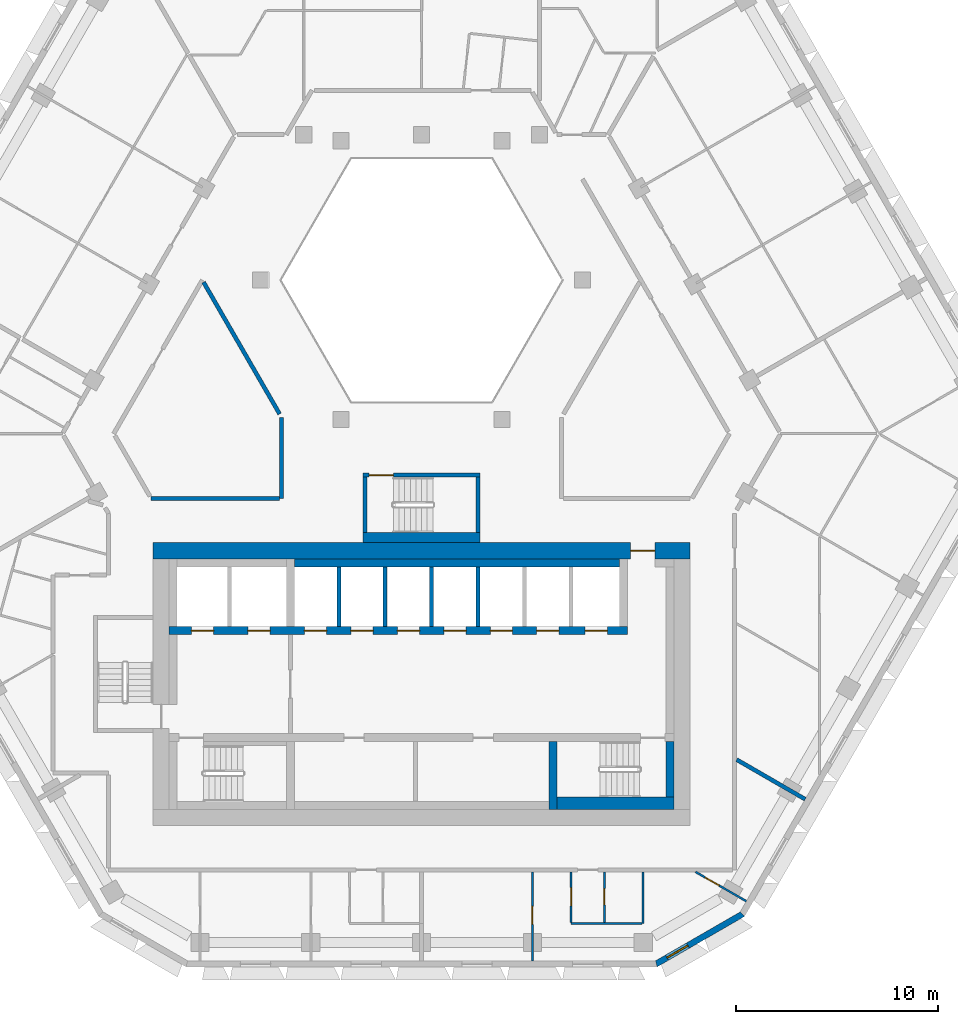
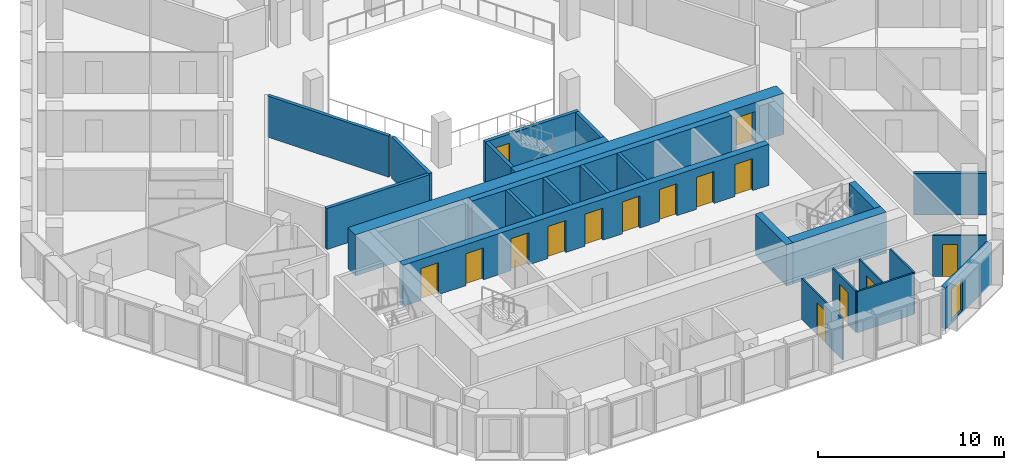
# One storey, part 5 of 15: 25 walls, 15 doors, 1 window, 16 openings.
"""IFC4 building model written with IfcOpenShell, lengths in metres."""

from ifc_helpers import new_model, si_unit, direction, frame, frame_2d, origin, place, context, subcontext, project, spatial, polyline, rectangle, outline, extrude, material, layer, layer_set, type_object, element, fill, save


model = new_model("IFC4")

# Units and contexts
model_context = context("Model", 3, precision=1e-05, world=origin(), true_north=direction((0.0, 1.0)))
body_context = subcontext(model_context, "Body", "Model", "MODEL_VIEW")
ifc_project = project(units=[si_unit("LENGTHUNIT", "METRE"), si_unit("AREAUNIT", "SQUARE_METRE"), si_unit("VOLUMEUNIT", "CUBIC_METRE"), si_unit("PLANEANGLEUNIT", "RADIAN"), si_unit("MASSUNIT", "GRAM", prefix="KILO")], contexts=[model_context])

# Site, building, storey
site_placement = place(None, origin())
site = spatial("IfcSite", under=ifc_project, at=site_placement, CompositionType="ELEMENT")
building_placement = place(site_placement, origin())
building = spatial("IfcBuilding", under=site, at=building_placement, Name="Beryl Residences", CompositionType="ELEMENT")
storey_placement = place(building_placement, frame((0.0, 0.0, 123.60009765625)))
storey = spatial("IfcBuildingStorey", under=building, at=storey_placement, Name="L37", CompositionType="ELEMENT", Elevation=123.60009765625)

# Wall, opening, window
ifc_material_1 = material(Name="Composite metal panel with mineral wool insulation")
ifc_layer_1 = layer(ifc_material_1, 0.300048828125)
ifc_layer_set_1 = layer_set([ifc_layer_1], Name="ES1 pale metal composite panel wall 300 mm")
wall_type_1 = type_object("IfcWallType", Name="ES1 pale metal composite panel wall 300 mm", PredefinedType="SOLIDWALL", material=ifc_layer_set_1)
wall_1_placement = place(storey_placement, frame((11.5869140625, -25.8701171875, 0.0), z_axis=(0.0, 0.0, 1.0), x_axis=(0.866022959057, 0.500004234368, 0.0)))
wall_1 = element("IfcWall", 1, at=wall_1_placement, inside=storey, type_object=wall_type_1, Name="ES1 external wall L37 S-SE", PredefinedType="SOLIDWALL", context=body_context, shape_type="SweptSolid", body=[
    extrude(outline(polyline([(0.0, -0.14990234375), (5.0, -0.14990234375), (4.919677734375, 0.14990234375), (0.080322265625, 0.14990234375), (0.0, -0.14990234375)])), origin(), (0.0, 0.0, 1.0), 2.699951171875),
])
opening_1_placement = place(wall_1_placement, frame((0.64990234375, 0.0, 0.14990234375)))
opening_1 = element("IfcOpeningElement", 2, at=opening_1_placement, cuts=wall_1, Name="Opening W2", PredefinedType="OPENING", context=body_context, shape_type="SweptSolid", body=[
    extrude(rectangle(XDim=1.199951171875, YDim=2.10009765625, at=frame_2d((0.60009765625, 1.050048828125))), frame((0.0, 0.159912109375, 0.0), z_axis=(0.0, -1.0, 0.0), x_axis=(1.0, 0.0, 0.0)), (0.0, 0.0, 1.0), 0.320068359375),
])
ifc_material_2 = material(Name="Aluminium and clear glass", Category="aluminium")
window_type = type_object("IfcWindowType", Name="W2 chamfer window 1200 x 2100 mm", PartitioningType="SINGLE_PANEL", PredefinedType="WINDOW", material=ifc_material_2)
window_placement = place(opening_1_placement, origin())
window = element("IfcWindow", 3, at=window_placement, inside=storey, type_object=window_type, Name="W2 window L37 S-SE 1", OverallHeight=2.10009765625, OverallWidth=1.199951171875, PartitioningType="SINGLE_PANEL", PredefinedType="WINDOW", context=body_context, shape_type="SweptSolid", body=[
    extrude(rectangle(XDim=1.199951171875, YDim=2.10009765625, at=frame_2d((0.60009765625, 1.050048828125))), frame((0.0, 0.030029296875, 0.0), z_axis=(0.0, -1.0, 0.0), x_axis=(1.0, 0.0, 0.0)), (0.0, 0.0, 1.0), 0.06005859375),
])
fill(opening_1, window)

# Wall, opening, door
ifc_material_3 = material(Name="Gypsum board partition on steel studs", Category="steel")
ifc_layer_2 = layer(ifc_material_3, 0.10009765625)
ifc_layer_set_2 = layer_set([ifc_layer_2], Name="PT1 partition 100 mm gypsum board on steel studs")
wall_type_2 = type_object("IfcWallType", Name="PT1 partition 100 mm gypsum board on steel studs", PredefinedType="PARTITIONING", material=ifc_layer_set_2)
wall_2_placement = place(storey_placement, frame((7.406005859375, -21.300048828125, 0.0), z_axis=(0.0, 0.0, 1.0), x_axis=(0.0, -1.0, 0.0)))
wall_2 = element("IfcWall", 4, at=wall_2_placement, inside=storey, type_object=wall_type_2, Name="Wall PT1 L37 008", PredefinedType="PARTITIONING", context=body_context, shape_type="SweptSolid", body=[
    extrude(rectangle(XDim=2.509033203125, YDim=0.10009765625, at=frame_2d((1.25439453125, 0.0))), origin(), (0.0, 0.0, 1.0), 2.699951171875),
])
opening_2_placement = place(wall_2_placement, frame((0.780029296875, 0.0, 0.0)))
opening_2 = element("IfcOpeningElement", 5, at=opening_2_placement, cuts=wall_2, Name="Opening D1207", PredefinedType="OPENING", context=body_context, shape_type="SweptSolid", body=[
    extrude(rectangle(XDim=0.89990234375, YDim=2.10009765625, at=frame_2d((0.449951171875, 1.050048828125))), frame((0.0, 0.06005859375, 0.0), z_axis=(0.0, -1.0, 0.0), x_axis=(1.0, 0.0, 0.0)), (0.0, 0.0, 1.0), 0.1201171875),
])
ifc_material_4 = material(Name="Timber door leaf", Category="wood")
door_type_1 = type_object("IfcDoorType", Name="D2 room door 900 x 2100 mm", OperationType="SINGLE_SWING_LEFT", PredefinedType="DOOR", material=ifc_material_4)
door_1_placement = place(opening_2_placement, origin())
door_1 = element("IfcDoor", 6, at=door_1_placement, inside=storey, type_object=door_type_1, Name="Door D1207 L37 001", OperationType="SINGLE_SWING_LEFT", OverallHeight=2.10009765625, OverallWidth=0.89990234375, PredefinedType="DOOR", context=body_context, shape_type="SweptSolid", body=[
    extrude(rectangle(XDim=0.89990234375, YDim=2.10009765625, at=frame_2d((0.449951171875, 1.050048828125))), frame((0.0, 0.02490234375, 0.0), z_axis=(0.0, -1.0, 0.0), x_axis=(1.0, 0.0, 0.0)), (0.0, 0.0, 1.0), 0.050048828125),
])
fill(opening_2, door_1)

wall_3_placement = place(storey_placement, frame((13.568115234375, -21.300048828125, 0.0), z_axis=(0.0, 0.0, 1.0), x_axis=(0.865885342641, -0.500242514586, 0.0)))
wall_3 = element("IfcWall", 7, at=wall_3_placement, inside=storey, type_object=wall_type_2, Name="Wall PT1 L37 014", PredefinedType="PARTITIONING", context=body_context, shape_type="SweptSolid", body=[
    extrude(rectangle(XDim=2.8984375, YDim=0.10009765625, at=frame_2d((1.44921875, 0.0))), origin(), (0.0, 0.0, 1.0), 2.699951171875),
])
opening_3_placement = place(wall_3_placement, frame((0.550048828125, 0.0, 0.0)))
opening_3 = element("IfcOpeningElement", 8, at=opening_3_placement, cuts=wall_3, Name="Opening D1210", PredefinedType="OPENING", context=body_context, shape_type="SweptSolid", body=[
    extrude(rectangle(XDim=0.800048828125, YDim=2.10009765625, at=frame_2d((0.39990234375, 1.050048828125))), frame((0.0, 0.06005859375, 0.0), z_axis=(0.0, -1.0, 0.0), x_axis=(1.0, 0.0, 0.0)), (0.0, 0.0, 1.0), 0.1201171875),
])
ifc_material_5 = material(Name="Timber door leaf", Category="wood")
door_type_2 = type_object("IfcDoorType", Name="D13 room door 800 x 2100 mm", OperationType="SINGLE_SWING_LEFT", PredefinedType="DOOR", material=ifc_material_5)
door_2_placement = place(opening_3_placement, origin())
door_2 = element("IfcDoor", 9, at=door_2_placement, inside=storey, type_object=door_type_2, Name="Door D1210 L37 001", OperationType="SINGLE_SWING_RIGHT", OverallHeight=2.10009765625, OverallWidth=0.800048828125, PredefinedType="DOOR", context=body_context, shape_type="SweptSolid", body=[
    extrude(rectangle(XDim=0.800048828125, YDim=2.10009765625, at=frame_2d((0.39990234375, 1.050048828125))), frame((0.0, 0.02490234375, 0.0), z_axis=(0.0, -1.0, 0.0), x_axis=(1.0, 0.0, 0.0)), (0.0, 0.0, 1.0), 0.050048828125),
])
fill(opening_3, door_2)

# Wall
wall_4_placement = place(storey_placement, frame((7.406982421875, -23.860107421875, 0.0), z_axis=(0.0, 0.0, 1.0), x_axis=(1.0, 0.0, 0.0)))
element("IfcWall", 10, at=wall_4_placement, inside=storey, type_object=wall_type_2, Name="Wall PT1 L37 021", PredefinedType="PARTITIONING", context=body_context, shape_type="SweptSolid", body=[
    extrude(rectangle(XDim=3.512939453125, YDim=0.10009765625, at=frame_2d((1.75634765625, 0.0))), origin(), (0.0, 0.0, 1.0), 2.699951171875),
])

# Wall, opening, door
wall_5_placement = place(storey_placement, frame((5.486083984375, -25.699951171875, 0.0), z_axis=(0.0, 0.0, 1.0), x_axis=(0.0, 1.0, 0.0)))
wall_5 = element("IfcWall", 11, at=wall_5_placement, inside=storey, type_object=wall_type_2, Name="Wall PT1 L37 038", PredefinedType="PARTITIONING", context=body_context, shape_type="SweptSolid", body=[
    extrude(rectangle(XDim=4.39990234375, YDim=0.10009765625, at=frame_2d((2.199951171875, 0.0))), origin(), (0.0, 0.0, 1.0), 2.699951171875),
])
opening_4_placement = place(wall_5_placement, frame((1.800048828125, 0.0, 0.0)))
opening_4 = element("IfcOpeningElement", 12, at=opening_4_placement, cuts=wall_5, Name="Opening D1209", PredefinedType="OPENING", context=body_context, shape_type="SweptSolid", body=[
    extrude(rectangle(XDim=0.89990234375, YDim=2.10009765625, at=frame_2d((0.449951171875, 1.050048828125))), frame((0.0, 0.06005859375, 0.0), z_axis=(0.0, -1.0, 0.0), x_axis=(1.0, 0.0, 0.0)), (0.0, 0.0, 1.0), 0.1201171875),
])
door_3_placement = place(opening_4_placement, origin())
door_3 = element("IfcDoor", 13, at=door_3_placement, inside=storey, type_object=door_type_1, Name="Door D1209 L37 001", OperationType="SINGLE_SWING_LEFT", OverallHeight=2.10009765625, OverallWidth=0.89990234375, PredefinedType="DOOR", context=body_context, shape_type="SweptSolid", body=[
    extrude(rectangle(XDim=0.89990234375, YDim=2.10009765625, at=frame_2d((0.449951171875, 1.050048828125))), frame((0.0, 0.02490234375, 0.0), z_axis=(0.0, -1.0, 0.0), x_axis=(1.0, 0.0, 0.0)), (0.0, 0.0, 1.0), 0.050048828125),
])
fill(opening_4, door_3)

wall_6_placement = place(storey_placement, frame((9.051025390625, -23.81005859375, 0.0), z_axis=(0.0, 0.0, 1.0), x_axis=(0.0, 1.0, 0.0)))
wall_6 = element("IfcWall", 14, at=wall_6_placement, inside=storey, type_object=wall_type_2, Name="Wall PT1 L37 039", PredefinedType="PARTITIONING", context=body_context, shape_type="SweptSolid", body=[
    extrude(rectangle(XDim=2.510009765625, YDim=0.10009765625, at=frame_2d((1.2548828125, 0.0))), origin(), (0.0, 0.0, 1.0), 2.699951171875),
])
opening_5_placement = place(wall_6_placement, frame((0.8798828125, 0.0, 0.0)))
opening_5 = element("IfcOpeningElement", 15, at=opening_5_placement, cuts=wall_6, Name="Opening D1208", PredefinedType="OPENING", context=body_context, shape_type="SweptSolid", body=[
    extrude(rectangle(XDim=0.800048828125, YDim=2.10009765625, at=frame_2d((0.39990234375, 1.050048828125))), frame((0.0, 0.06005859375, 0.0), z_axis=(0.0, -1.0, 0.0), x_axis=(1.0, 0.0, 0.0)), (0.0, 0.0, 1.0), 0.1201171875),
])
ifc_material_6 = material(Name="Timber door leaf", Category="wood")
door_type_3 = type_object("IfcDoorType", Name="D3 bathroom door 800 x 2100 mm", OperationType="SINGLE_SWING_LEFT", PredefinedType="DOOR", material=ifc_material_6)
door_4_placement = place(opening_5_placement, origin())
door_4 = element("IfcDoor", 16, at=door_4_placement, inside=storey, type_object=door_type_3, Name="Door D1208 L37 001", OperationType="SINGLE_SWING_RIGHT", OverallHeight=2.10009765625, OverallWidth=0.800048828125, PredefinedType="DOOR", context=body_context, shape_type="SweptSolid", body=[
    extrude(rectangle(XDim=0.800048828125, YDim=2.10009765625, at=frame_2d((0.39990234375, 1.050048828125))), frame((0.0, 0.02490234375, 0.0), z_axis=(0.0, -1.0, 0.0), x_axis=(1.0, 0.0, 0.0)), (0.0, 0.0, 1.0), 0.050048828125),
])
fill(opening_5, door_4)

# Walls
wall_7_placement = place(storey_placement, frame((10.970947265625, -23.85888671875, 0.0), z_axis=(0.0, 0.0, 1.0), x_axis=(0.0, 1.0, 0.0)))
element("IfcWall", 17, at=wall_7_placement, inside=storey, type_object=wall_type_2, Name="Wall PT1 L37 040", PredefinedType="PARTITIONING", context=body_context, shape_type="SweptSolid", body=[
    extrude(rectangle(XDim=2.558837890625, YDim=0.10009765625, at=frame_2d((1.279296875, 0.0))), origin(), (0.0, 0.0, 1.0), 2.699951171875),
])
ifc_material_7 = material(Name="Acoustic double stud gypsum board wall")
ifc_layer_3 = layer(ifc_material_7, 0.199951171875)
ifc_layer_set_3 = layer_set([ifc_layer_3], Name="PT3 party wall 200 mm acoustic double stud")
wall_type_3 = type_object("IfcWallType", Name="PT3 party wall 200 mm acoustic double stud", PredefinedType="PARTITIONING", material=ifc_layer_set_3)
wall_8_placement = place(storey_placement, frame((15.60009765625, -15.740966796875, 0.0), z_axis=(0.0, 0.0, 1.0), x_axis=(0.865964599155, -0.500105301922, 0.0)))
element("IfcWall", 18, at=wall_8_placement, inside=storey, type_object=wall_type_3, Name="Wall PT3 L37 007", PredefinedType="PARTITIONING", context=body_context, shape_type="SweptSolid", body=[
    extrude(rectangle(XDim=3.919189453125, YDim=0.199951171875, at=frame_2d((1.95947265625, 0.0))), origin(), (0.0, 0.0, 1.0), 2.699951171875),
])
ifc_material_8 = material(Name="Double stud gypsum board wall")
ifc_layer_4 = layer(ifc_material_8, 0.199951171875)
ifc_layer_set_4 = layer_set([ifc_layer_4], Name="PT4 corridor wall 200 mm double stud")
wall_type_4 = type_object("IfcWallType", Name="PT4 corridor wall 200 mm double stud", PredefinedType="PARTITIONING", material=ifc_layer_set_4)
wall_9_placement = place(storey_placement, frame((-10.7958984375, 7.89990234375, 0.0), z_axis=(0.0, 0.0, 1.0), x_axis=(0.499954271211, -0.866051803703, 0.0)))
element("IfcWall", 19, at=wall_9_placement, inside=storey, type_object=wall_type_4, Name="Wall PT4 L37 001", PredefinedType="PARTITIONING", context=body_context, shape_type="SweptSolid", body=[
    extrude(rectangle(XDim=7.536376953125, YDim=0.199951171875, at=frame_2d((3.76806640625, 0.0))), origin(), (0.0, 0.0, 1.0), 2.699951171875),
])
wall_10_placement = place(storey_placement, frame((-13.39501953125, -2.800048828125, 0.0), z_axis=(0.0, 0.0, 1.0), x_axis=(1.0, 0.0, 0.0)))
element("IfcWall", 20, at=wall_10_placement, inside=storey, type_object=wall_type_4, Name="Wall PT4 L37 013", PredefinedType="PARTITIONING", context=body_context, shape_type="SweptSolid", body=[
    extrude(rectangle(XDim=6.366943359375, YDim=0.199951171875, at=frame_2d((3.18359375, 0.0))), origin(), (0.0, 0.0, 1.0), 2.699951171875),
])
wall_11_placement = place(storey_placement, frame((-6.927978515625, -2.800048828125, 0.0), z_axis=(0.0, 0.0, 1.0), x_axis=(0.0, 1.0, 0.0)))
element("IfcWall", 21, at=wall_11_placement, inside=storey, type_object=wall_type_4, Name="Wall PT4 L37 026", PredefinedType="PARTITIONING", context=body_context, shape_type="SweptSolid", body=[
    extrude(rectangle(XDim=4.0, YDim=0.199951171875, at=frame_2d((2.0, 0.0))), origin(), (0.0, 0.0, 1.0), 2.699951171875),
])

# Wall, opening, door
ifc_material_9 = material(Name="Concrete C40/50", Category="concrete")
ifc_layer_5 = layer(ifc_material_9, 0.199951171875)
ifc_layer_set_5 = layer_set([ifc_layer_5], Name="PT5 stair enclosure wall 200 mm reinforced concrete C40/50")
wall_type_5 = type_object("IfcWallType", Name="PT5 stair enclosure wall 200 mm reinforced concrete C40/50", PredefinedType="SOLIDWALL", material=ifc_layer_set_5)
wall_12_placement = place(storey_placement, frame((-2.89990234375, -1.64990234375, 0.0), z_axis=(0.0, 0.0, 1.0), x_axis=(1.0, 0.0, 0.0)))
wall_12 = element("IfcWall", 22, at=wall_12_placement, inside=storey, type_object=wall_type_5, Name="Wall PT5 L37 001", PredefinedType="SOLIDWALL", context=body_context, shape_type="SweptSolid", body=[
    extrude(rectangle(XDim=5.7998046875, YDim=0.199951171875, at=frame_2d((2.89990234375, 0.0))), origin(), (0.0, 0.0, 1.0), 2.699951171875),
])
opening_6_placement = place(wall_12_placement, frame((0.300048828125, 0.0, 0.0)))
opening_6 = element("IfcOpeningElement", 23, at=opening_6_placement, cuts=wall_12, Name="Opening DS04", PredefinedType="OPENING", context=body_context, shape_type="SweptSolid", body=[
    extrude(rectangle(XDim=1.199951171875, YDim=2.10009765625, at=frame_2d((0.60009765625, 1.050048828125))), frame((0.0, 0.10986328125, 0.0), z_axis=(0.0, -1.0, 0.0), x_axis=(1.0, 0.0, 0.0)), (0.0, 0.0, 1.0), 0.219970703125),
])
ifc_material_10 = material(Name="Steel door leaf in steel frame", Category="steel")
door_type_4 = type_object("IfcDoorType", Name="D4 stair door 1200 x 2100 mm", OperationType="SINGLE_SWING_LEFT", PredefinedType="DOOR", material=ifc_material_10)
door_5_placement = place(opening_6_placement, origin())
door_5 = element("IfcDoor", 24, at=door_5_placement, inside=storey, type_object=door_type_4, Name="Door DS04 L37 001", OperationType="SINGLE_SWING_LEFT", OverallHeight=2.10009765625, OverallWidth=1.199951171875, PredefinedType="DOOR", context=body_context, shape_type="SweptSolid", body=[
    extrude(rectangle(XDim=1.199951171875, YDim=2.10009765625, at=frame_2d((0.60009765625, 1.050048828125))), frame((0.0, 0.02490234375, 0.0), z_axis=(0.0, -1.0, 0.0), x_axis=(1.0, 0.0, 0.0)), (0.0, 0.0, 1.0), 0.050048828125),
])
fill(opening_6, door_5)

# Walls
for number, where, z_axis, x_axis, name in (
    (25, (-2.800048828125, -4.5, 0.0), (0.0, 0.0, 1.0), (0.0, 1.0, 0.0), "Wall PT5 L37 002"),
    (26, (2.800048828125, -4.5, 0.0), (0.0, 0.0, 1.0), (0.0, 1.0, 0.0), "Wall PT5 L37 003"),
):
    element("IfcWall", number, at=place(storey_placement, frame(where, z_axis=z_axis, x_axis=x_axis)), inside=storey, type_object=wall_type_5, Name=name, PredefinedType="SOLIDWALL", context=body_context, shape_type="SweptSolid", body=[
        extrude(rectangle(XDim=2.75, YDim=0.199951171875, at=frame_2d((1.375, 0.0))), origin(), (0.0, 0.0, 1.0), 2.699951171875),
    ])
ifc_material_11 = material(Name="Concrete C40/50", Category="concrete")
ifc_layer_6 = layer(ifc_material_11, 0.39990234375)
ifc_layer_set_6 = layer_set([ifc_layer_6], Name="PT5-400 stair enclosure wall 400 mm")
wall_type_6 = type_object("IfcWallType", Name="PT5-400 stair enclosure wall 400 mm", PredefinedType="SOLIDWALL", material=ifc_layer_set_6)
wall_13_placement = place(storey_placement, frame((12.300048828125, -17.60009765625, 0.0), z_axis=(0.0, 0.0, 1.0), x_axis=(0.0, 1.0, 0.0)))
element("IfcWall", 27, at=wall_13_placement, inside=storey, type_object=wall_type_6, Name="Stair wall 23", PredefinedType="SOLIDWALL", context=body_context, shape_type="SweptSolid", body=[
    extrude(rectangle(XDim=2.75, YDim=0.39990234375, at=frame_2d((1.375, 0.0))), origin(), (0.0, 0.0, 1.0), 2.699951171875),
])
ifc_material_12 = material(Name="Concrete C40/50", Category="concrete")
ifc_layer_7 = layer(ifc_material_12, 0.5)
ifc_layer_set_7 = layer_set([ifc_layer_7], Name="PT5-500 stair enclosure wall 500 mm")
wall_type_7 = type_object("IfcWallType", Name="PT5-500 stair enclosure wall 500 mm", PredefinedType="SOLIDWALL", material=ifc_layer_set_7)
wall_14_placement = place(storey_placement, frame((-2.89990234375, -4.75, 0.0), z_axis=(0.0, 0.0, 1.0), x_axis=(1.0, 0.0, 0.0)))
element("IfcWall", 28, at=wall_14_placement, inside=storey, type_object=wall_type_7, Name="Wall PT5-500 L37 001", PredefinedType="SOLIDWALL", context=body_context, shape_type="SweptSolid", body=[
    extrude(rectangle(XDim=5.7998046875, YDim=0.5, at=frame_2d((2.89990234375, 0.0))), origin(), (0.0, 0.0, 1.0), 2.699951171875),
])
ifc_material_13 = material(Name="Concrete C40/50", Category="concrete")
ifc_layer_8 = layer(ifc_material_13, 0.60009765625)
ifc_layer_set_8 = layer_set([ifc_layer_8], Name="PT5-600 stair enclosure wall 600 mm")
wall_type_8 = type_object("IfcWallType", Name="PT5-600 stair enclosure wall 600 mm", PredefinedType="SOLIDWALL", material=ifc_layer_set_8)
wall_15_placement = place(storey_placement, frame((6.699951171875, -17.89990234375, 0.0), z_axis=(0.0, 0.0, 1.0), x_axis=(1.0, 0.0, 0.0)))
element("IfcWall", 29, at=wall_15_placement, inside=storey, type_object=wall_type_8, Name="Stair wall 20", PredefinedType="SOLIDWALL", context=body_context, shape_type="SweptSolid", body=[
    extrude(rectangle(XDim=5.800048828125, YDim=0.60009765625, at=frame_2d((2.89990234375, 0.0))), origin(), (0.0, 0.0, 1.0), 2.699951171875),
])
ifc_material_14 = material(Name="Concrete C40/50", Category="concrete")
ifc_layer_9 = layer(ifc_material_14, 0.199951171875)
ifc_layer_set_9 = layer_set([ifc_layer_9], Name="PT6 lift shaft wall 200 mm reinforced concrete C40/50")
wall_type_9 = type_object("IfcWallType", Name="PT6 lift shaft wall 200 mm reinforced concrete C40/50", PredefinedType="SOLIDWALL", material=ifc_layer_set_9)
for number, where, z_axis, x_axis, name in (
    (30, (-4.10009765625, -9.14990234375, 0.0), (0.0, 0.0, 1.0), (0.0, 1.0, 0.0), "Lift shaft wall 14"),
    (31, (-1.800048828125, -9.14990234375, 0.0), (0.0, 0.0, 1.0), (0.0, 1.0, 0.0), "Lift shaft wall 15"),
    (32, (0.5, -9.14990234375, 0.0), (0.0, 0.0, 1.0), (0.0, 1.0, 0.0), "Lift shaft wall 17"),
    (33, (2.800048828125, -9.14990234375, 0.0), (0.0, 0.0, 1.0), (0.0, 1.0, 0.0), "Lift shaft wall 18"),
):
    element("IfcWall", number, at=place(storey_placement, frame(where, z_axis=z_axis, x_axis=x_axis)), inside=storey, type_object=wall_type_9, Name=name, PredefinedType="SOLIDWALL", context=body_context, shape_type="SweptSolid", body=[
        extrude(rectangle(XDim=2.949951171875, YDim=0.199951171875, at=frame_2d((1.47509765625, 0.0))), origin(), (0.0, 0.0, 1.0), 2.699951171875),
    ])
ifc_material_15 = material(Name="Concrete C40/50", Category="concrete")
ifc_layer_10 = layer(ifc_material_15, 0.39990234375)
ifc_layer_set_10 = layer_set([ifc_layer_10], Name="PT6-400 lift shaft wall 400 mm")
wall_type_10 = type_object("IfcWallType", Name="PT6-400 lift shaft wall 400 mm", PredefinedType="SOLIDWALL", material=ifc_layer_set_10)
wall_16_placement = place(storey_placement, frame((-6.300048828125, -6.0, 0.0), z_axis=(0.0, 0.0, 1.0), x_axis=(1.0, 0.0, 0.0)))
element("IfcWall", 34, at=wall_16_placement, inside=storey, type_object=wall_type_10, Name="Lift shaft wall 13", PredefinedType="SOLIDWALL", context=body_context, shape_type="SweptSolid", body=[
    extrude(rectangle(XDim=16.10009765625, YDim=0.39990234375, at=frame_2d((8.050048828125, 0.0))), origin(), (0.0, 0.0, 1.0), 2.699951171875),
])

# Wall, opening, door
ifc_material_16 = material(Name="Concrete C60/75", Category="concrete")
ifc_layer_11 = layer(ifc_material_16, 0.800048828125)
ifc_layer_set_11 = layer_set([ifc_layer_11], Name="SW3 core outer wall 800 mm C60/75")
wall_type_11 = type_object("IfcWallType", Name="SW3 core outer wall 800 mm C60/75", PredefinedType="SHEAR", material=ifc_layer_set_11)
wall_17_placement = place(storey_placement, frame((-13.300048828125, -5.39990234375, 0.0), z_axis=(0.0, 0.0, 1.0), x_axis=(1.0, 0.0, 0.0)))
wall_17 = element("IfcWall", 35, at=wall_17_placement, inside=storey, type_object=wall_type_11, Name="Core wall N L37", PredefinedType="SHEAR", context=body_context, shape_type="SweptSolid", body=[
    extrude(rectangle(XDim=26.60009765625, YDim=0.800048828125, at=frame_2d((13.300048828125, 0.0))), origin(), (0.0, 0.0, 1.0), 2.699951171875),
])
opening_7_placement = place(wall_17_placement, frame((23.64990234375, 0.0, 0.0)))
opening_7 = element("IfcOpeningElement", 36, at=opening_7_placement, cuts=wall_17, Name="Opening FD-NORTH", PredefinedType="OPENING", context=body_context, shape_type="SweptSolid", body=[
    extrude(rectangle(XDim=1.199951171875, YDim=2.10009765625, at=frame_2d((0.60009765625, 1.050048828125))), frame((0.0, 0.409912109375, 0.0), z_axis=(0.0, -1.0, 0.0), x_axis=(1.0, 0.0, 0.0)), (0.0, 0.0, 1.0), 0.820068359375),
])
ifc_material_17 = material(Name="Steel door leaf in steel frame", Category="steel")
door_type_5 = type_object("IfcDoorType", Name="D22 lobby door 1200 x 2100 mm", OperationType="DOUBLE_DOOR_SINGLE_SWING", PredefinedType="DOOR", material=ifc_material_17)
door_6_placement = place(opening_7_placement, origin())
door_6 = element("IfcDoor", 37, at=door_6_placement, inside=storey, type_object=door_type_5, Name="Door FD-NORTH L37 001", OperationType="DOUBLE_DOOR_SINGLE_SWING", OverallHeight=2.10009765625, OverallWidth=1.199951171875, PredefinedType="DOOR", context=body_context, shape_type="SweptSolid", body=[
    extrude(rectangle(XDim=1.199951171875, YDim=2.10009765625, at=frame_2d((0.60009765625, 1.050048828125))), frame((0.0, 0.02490234375, 0.0), z_axis=(0.0, -1.0, 0.0), x_axis=(1.0, 0.0, 0.0)), (0.0, 0.0, 1.0), 0.050048828125),
])
fill(opening_7, door_6)

# Wall, openings, doors
ifc_material_18 = material(Name="Concrete C60/75", Category="concrete")
ifc_layer_12 = layer(ifc_material_18, 0.39990234375)
ifc_layer_set_12 = layer_set([ifc_layer_12], Name="SW8 core internal wall 400 mm C60/75")
wall_type_12 = type_object("IfcWallType", Name="SW8 core internal wall 400 mm C60/75", PredefinedType="SHEAR", material=ifc_layer_set_12)
wall_18_placement = place(storey_placement, frame((-12.5, -9.35009765625, 0.0), z_axis=(0.0, 0.0, 1.0), x_axis=(1.0, 0.0, 0.0)))
wall_18 = element("IfcWall", 38, at=wall_18_placement, inside=storey, type_object=wall_type_12, Name="Core wall SP2 L37", PredefinedType="SHEAR", context=body_context, shape_type="SweptSolid", body=[
    extrude(rectangle(XDim=22.699951171875, YDim=0.39990234375, at=frame_2d((11.35009765625, 0.0))), origin(), (0.0, 0.0, 1.0), 2.699951171875),
])
opening_8_placement = place(wall_18_placement, frame((1.10009765625, 0.0, 0.0)))
opening_8 = element("IfcOpeningElement", 39, at=opening_8_placement, cuts=wall_18, Name="Opening LD-FF1", PredefinedType="OPENING", context=body_context, shape_type="SweptSolid", body=[
    extrude(rectangle(XDim=1.10009765625, YDim=2.10009765625, at=frame_2d((0.550048828125, 1.050048828125))), frame((0.0, 0.2099609375, 0.0), z_axis=(0.0, -1.0, 0.0), x_axis=(1.0, 0.0, 0.0)), (0.0, 0.0, 1.0), 0.419921875),
])
opening_9_placement = place(wall_18_placement, frame((3.89990234375, 0.0, 0.0)))
opening_9 = element("IfcOpeningElement", 40, at=opening_9_placement, cuts=wall_18, Name="Opening LD-FF2", PredefinedType="OPENING", context=body_context, shape_type="SweptSolid", body=[
    extrude(rectangle(XDim=1.10009765625, YDim=2.10009765625, at=frame_2d((0.550048828125, 1.050048828125))), frame((0.0, 0.2099609375, 0.0), z_axis=(0.0, -1.0, 0.0), x_axis=(1.0, 0.0, 0.0)), (0.0, 0.0, 1.0), 0.419921875),
])
opening_10_placement = place(wall_18_placement, frame((6.699951171875, 0.0, 0.0)))
opening_10 = element("IfcOpeningElement", 41, at=opening_10_placement, cuts=wall_18, Name="Opening LD-HR1", PredefinedType="OPENING", context=body_context, shape_type="SweptSolid", body=[
    extrude(rectangle(XDim=1.10009765625, YDim=2.10009765625, at=frame_2d((0.550048828125, 1.050048828125))), frame((0.0, 0.2099609375, 0.0), z_axis=(0.0, -1.0, 0.0), x_axis=(1.0, 0.0, 0.0)), (0.0, 0.0, 1.0), 0.419921875),
])
opening_11_placement = place(wall_18_placement, frame((9.0, 0.0, 0.0)))
opening_11 = element("IfcOpeningElement", 42, at=opening_11_placement, cuts=wall_18, Name="Opening LD-HR2", PredefinedType="OPENING", context=body_context, shape_type="SweptSolid", body=[
    extrude(rectangle(XDim=1.10009765625, YDim=2.10009765625, at=frame_2d((0.550048828125, 1.050048828125))), frame((0.0, 0.2099609375, 0.0), z_axis=(0.0, -1.0, 0.0), x_axis=(1.0, 0.0, 0.0)), (0.0, 0.0, 1.0), 0.419921875),
])
opening_12_placement = place(wall_18_placement, frame((11.300048828125, 0.0, 0.0)))
opening_12 = element("IfcOpeningElement", 43, at=opening_12_placement, cuts=wall_18, Name="Opening LD-HR3", PredefinedType="OPENING", context=body_context, shape_type="SweptSolid", body=[
    extrude(rectangle(XDim=1.10009765625, YDim=2.10009765625, at=frame_2d((0.550048828125, 1.050048828125))), frame((0.0, 0.2099609375, 0.0), z_axis=(0.0, -1.0, 0.0), x_axis=(1.0, 0.0, 0.0)), (0.0, 0.0, 1.0), 0.419921875),
])
opening_13_placement = place(wall_18_placement, frame((13.60009765625, 0.0, 0.0)))
opening_13 = element("IfcOpeningElement", 44, at=opening_13_placement, cuts=wall_18, Name="Opening LD-HR4", PredefinedType="OPENING", context=body_context, shape_type="SweptSolid", body=[
    extrude(rectangle(XDim=1.10009765625, YDim=2.10009765625, at=frame_2d((0.550048828125, 1.050048828125))), frame((0.0, 0.2099609375, 0.0), z_axis=(0.0, -1.0, 0.0), x_axis=(1.0, 0.0, 0.0)), (0.0, 0.0, 1.0), 0.419921875),
])
opening_14_placement = place(wall_18_placement, frame((15.89990234375, 0.0, 0.0)))
opening_14 = element("IfcOpeningElement", 45, at=opening_14_placement, cuts=wall_18, Name="Opening LD-HR5", PredefinedType="OPENING", context=body_context, shape_type="SweptSolid", body=[
    extrude(rectangle(XDim=1.10009765625, YDim=2.10009765625, at=frame_2d((0.550048828125, 1.050048828125))), frame((0.0, 0.2099609375, 0.0), z_axis=(0.0, -1.0, 0.0), x_axis=(1.0, 0.0, 0.0)), (0.0, 0.0, 1.0), 0.419921875),
])
opening_15_placement = place(wall_18_placement, frame((18.199951171875, 0.0, 0.0)))
opening_15 = element("IfcOpeningElement", 46, at=opening_15_placement, cuts=wall_18, Name="Opening LD-HR6", PredefinedType="OPENING", context=body_context, shape_type="SweptSolid", body=[
    extrude(rectangle(XDim=1.10009765625, YDim=2.10009765625, at=frame_2d((0.550048828125, 1.050048828125))), frame((0.0, 0.2099609375, 0.0), z_axis=(0.0, -1.0, 0.0), x_axis=(1.0, 0.0, 0.0)), (0.0, 0.0, 1.0), 0.419921875),
])
opening_16_placement = place(wall_18_placement, frame((20.60009765625, 0.0, 0.0)))
opening_16 = element("IfcOpeningElement", 47, at=opening_16_placement, cuts=wall_18, Name="Opening LD-SL1", PredefinedType="OPENING", context=body_context, shape_type="SweptSolid", body=[
    extrude(rectangle(XDim=1.10009765625, YDim=2.10009765625, at=frame_2d((0.550048828125, 1.050048828125))), frame((0.0, 0.2099609375, 0.0), z_axis=(0.0, -1.0, 0.0), x_axis=(1.0, 0.0, 0.0)), (0.0, 0.0, 1.0), 0.419921875),
])
ifc_material_19 = material(Name="Stainless steel sliding door", Category="steel")
door_type_6 = type_object("IfcDoorType", Name="LD1 lift landing door 1100 x 2100 mm", OperationType="DOUBLE_DOOR_SLIDING", PredefinedType="DOOR", material=ifc_material_19)
door_7_placement = place(opening_8_placement, origin())
door_7 = element("IfcDoor", 48, at=door_7_placement, inside=storey, type_object=door_type_6, Name="Lift landing door FF1", OperationType="DOUBLE_DOOR_SLIDING", OverallHeight=2.10009765625, OverallWidth=1.10009765625, PredefinedType="DOOR", context=body_context, shape_type="SweptSolid", body=[
    extrude(rectangle(XDim=1.10009765625, YDim=2.10009765625, at=frame_2d((0.550048828125, 1.050048828125))), frame((0.0, 0.02490234375, 0.0), z_axis=(0.0, -1.0, 0.0), x_axis=(1.0, 0.0, 0.0)), (0.0, 0.0, 1.0), 0.050048828125),
])
fill(opening_8, door_7)
door_8_placement = place(opening_9_placement, origin())
door_8 = element("IfcDoor", 49, at=door_8_placement, inside=storey, type_object=door_type_6, Name="Lift landing door FF2", OperationType="DOUBLE_DOOR_SLIDING", OverallHeight=2.10009765625, OverallWidth=1.10009765625, PredefinedType="DOOR", context=body_context, shape_type="SweptSolid", body=[
    extrude(rectangle(XDim=1.10009765625, YDim=2.10009765625, at=frame_2d((0.550048828125, 1.050048828125))), frame((0.0, 0.02490234375, 0.0), z_axis=(0.0, -1.0, 0.0), x_axis=(1.0, 0.0, 0.0)), (0.0, 0.0, 1.0), 0.050048828125),
])
fill(opening_9, door_8)
door_9_placement = place(opening_10_placement, origin())
door_9 = element("IfcDoor", 50, at=door_9_placement, inside=storey, type_object=door_type_6, Name="Lift landing door HR1", OperationType="DOUBLE_DOOR_SLIDING", OverallHeight=2.10009765625, OverallWidth=1.10009765625, PredefinedType="DOOR", context=body_context, shape_type="SweptSolid", body=[
    extrude(rectangle(XDim=1.10009765625, YDim=2.10009765625, at=frame_2d((0.550048828125, 1.050048828125))), frame((0.0, 0.02490234375, 0.0), z_axis=(0.0, -1.0, 0.0), x_axis=(1.0, 0.0, 0.0)), (0.0, 0.0, 1.0), 0.050048828125),
])
fill(opening_10, door_9)
door_10_placement = place(opening_11_placement, origin())
door_10 = element("IfcDoor", 51, at=door_10_placement, inside=storey, type_object=door_type_6, Name="Lift landing door HR2", OperationType="DOUBLE_DOOR_SLIDING", OverallHeight=2.10009765625, OverallWidth=1.10009765625, PredefinedType="DOOR", context=body_context, shape_type="SweptSolid", body=[
    extrude(rectangle(XDim=1.10009765625, YDim=2.10009765625, at=frame_2d((0.550048828125, 1.050048828125))), frame((0.0, 0.02490234375, 0.0), z_axis=(0.0, -1.0, 0.0), x_axis=(1.0, 0.0, 0.0)), (0.0, 0.0, 1.0), 0.050048828125),
])
fill(opening_11, door_10)
door_11_placement = place(opening_12_placement, origin())
door_11 = element("IfcDoor", 52, at=door_11_placement, inside=storey, type_object=door_type_6, Name="Lift landing door HR3", OperationType="DOUBLE_DOOR_SLIDING", OverallHeight=2.10009765625, OverallWidth=1.10009765625, PredefinedType="DOOR", context=body_context, shape_type="SweptSolid", body=[
    extrude(rectangle(XDim=1.10009765625, YDim=2.10009765625, at=frame_2d((0.550048828125, 1.050048828125))), frame((0.0, 0.02490234375, 0.0), z_axis=(0.0, -1.0, 0.0), x_axis=(1.0, 0.0, 0.0)), (0.0, 0.0, 1.0), 0.050048828125),
])
fill(opening_12, door_11)
door_12_placement = place(opening_13_placement, origin())
door_12 = element("IfcDoor", 53, at=door_12_placement, inside=storey, type_object=door_type_6, Name="Lift landing door HR4", OperationType="DOUBLE_DOOR_SLIDING", OverallHeight=2.10009765625, OverallWidth=1.10009765625, PredefinedType="DOOR", context=body_context, shape_type="SweptSolid", body=[
    extrude(rectangle(XDim=1.10009765625, YDim=2.10009765625, at=frame_2d((0.550048828125, 1.050048828125))), frame((0.0, 0.02490234375, 0.0), z_axis=(0.0, -1.0, 0.0), x_axis=(1.0, 0.0, 0.0)), (0.0, 0.0, 1.0), 0.050048828125),
])
fill(opening_13, door_12)
door_13_placement = place(opening_14_placement, origin())
door_13 = element("IfcDoor", 54, at=door_13_placement, inside=storey, type_object=door_type_6, Name="Lift landing door HR5", OperationType="DOUBLE_DOOR_SLIDING", OverallHeight=2.10009765625, OverallWidth=1.10009765625, PredefinedType="DOOR", context=body_context, shape_type="SweptSolid", body=[
    extrude(rectangle(XDim=1.10009765625, YDim=2.10009765625, at=frame_2d((0.550048828125, 1.050048828125))), frame((0.0, 0.02490234375, 0.0), z_axis=(0.0, -1.0, 0.0), x_axis=(1.0, 0.0, 0.0)), (0.0, 0.0, 1.0), 0.050048828125),
])
fill(opening_14, door_13)
door_14_placement = place(opening_15_placement, origin())
door_14 = element("IfcDoor", 55, at=door_14_placement, inside=storey, type_object=door_type_6, Name="Lift landing door HR6", OperationType="DOUBLE_DOOR_SLIDING", OverallHeight=2.10009765625, OverallWidth=1.10009765625, PredefinedType="DOOR", context=body_context, shape_type="SweptSolid", body=[
    extrude(rectangle(XDim=1.10009765625, YDim=2.10009765625, at=frame_2d((0.550048828125, 1.050048828125))), frame((0.0, 0.02490234375, 0.0), z_axis=(0.0, -1.0, 0.0), x_axis=(1.0, 0.0, 0.0)), (0.0, 0.0, 1.0), 0.050048828125),
])
fill(opening_15, door_14)
door_15_placement = place(opening_16_placement, origin())
door_15 = element("IfcDoor", 56, at=door_15_placement, inside=storey, type_object=door_type_6, Name="Lift landing door SL1", OperationType="DOUBLE_DOOR_SLIDING", OverallHeight=2.10009765625, OverallWidth=1.10009765625, PredefinedType="DOOR", context=body_context, shape_type="SweptSolid", body=[
    extrude(rectangle(XDim=1.10009765625, YDim=2.10009765625, at=frame_2d((0.550048828125, 1.050048828125))), frame((0.0, 0.02490234375, 0.0), z_axis=(0.0, -1.0, 0.0), x_axis=(1.0, 0.0, 0.0)), (0.0, 0.0, 1.0), 0.050048828125),
])
fill(opening_16, door_15)

# Wall
wall_19_placement = place(storey_placement, frame((6.5, -18.199951171875, 0.0), z_axis=(0.0, 0.0, 1.0), x_axis=(0.0, 1.0, 0.0)))
element("IfcWall", 57, at=wall_19_placement, inside=storey, type_object=wall_type_12, Name="Core wall XS2 L37", PredefinedType="SHEAR", context=body_context, shape_type="SweptSolid", body=[
    extrude(rectangle(XDim=3.349853515625, YDim=0.39990234375, at=frame_2d((1.6748046875, 0.0))), origin(), (0.0, 0.0, 1.0), 2.699951171875),
])

save(model, "model.ifc")
